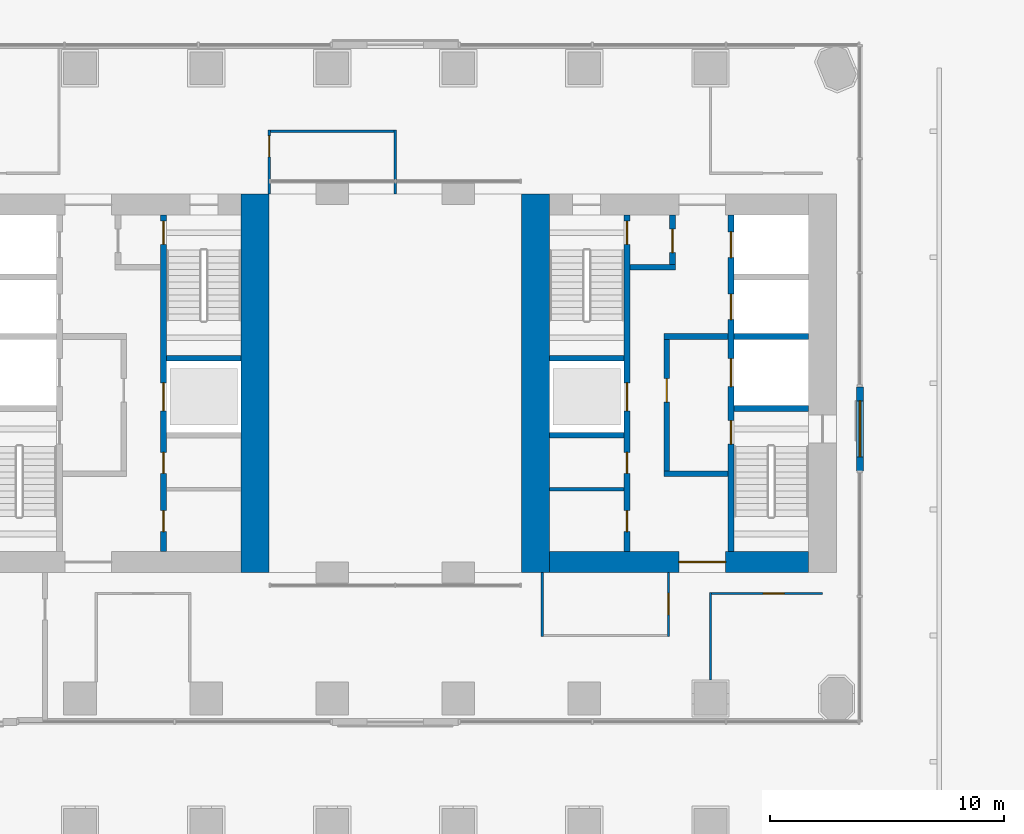
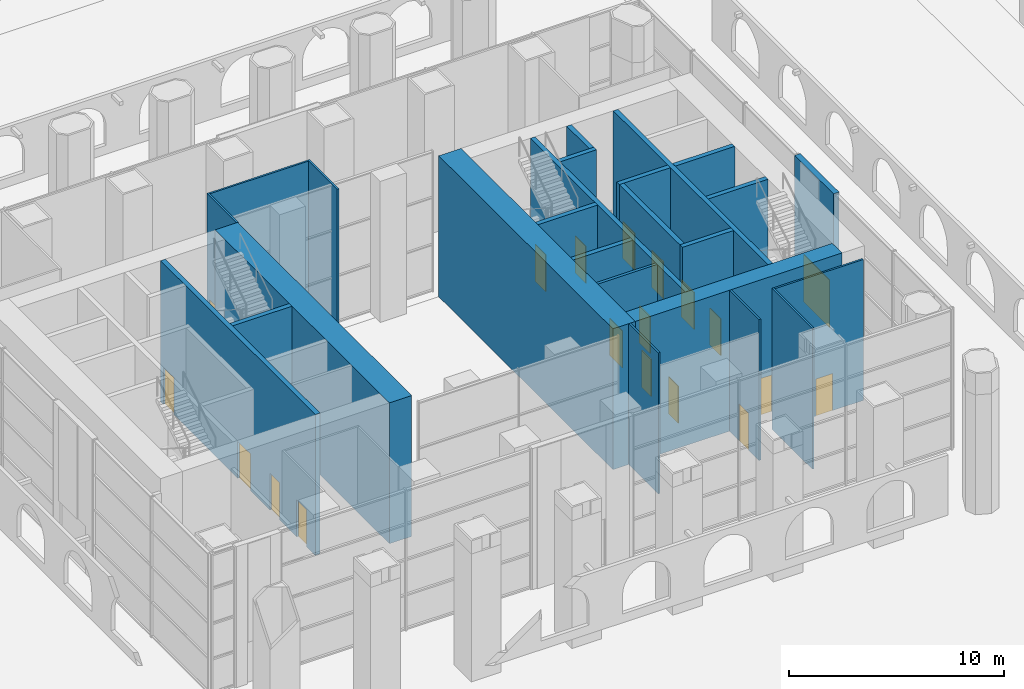
# One storey, part 31 of 54: 25 walls, 19 doors, 19 openings.
"""IFC4 building model written with IfcOpenShell, lengths in metres."""

from ifc_helpers import new_model, si_unit, direction, frame, frame_2d, origin, place, context, subcontext, project, spatial, rectangle, extrude, material, layer, layer_set, type_object, element, fill, save


model = new_model("IFC4")

# Units and contexts
model_context = context("Model", 3, precision=1e-05, world=origin(), true_north=direction((0.0, 1.0)))
body_context = subcontext(model_context, "Body", "Model", "MODEL_VIEW")
ifc_project = project(units=[si_unit("LENGTHUNIT", "METRE"), si_unit("AREAUNIT", "SQUARE_METRE"), si_unit("VOLUMEUNIT", "CUBIC_METRE"), si_unit("PLANEANGLEUNIT", "RADIAN"), si_unit("MASSUNIT", "GRAM", prefix="KILO")], contexts=[model_context])

# Site, building, storey
site_placement = place(None, origin())
site = spatial("IfcSite", under=ifc_project, at=site_placement, CompositionType="ELEMENT")
building_placement = place(site_placement, origin())
building = spatial("IfcBuilding", under=site, at=building_placement, Name="Tabaq Tower and Sports Hall", CompositionType="ELEMENT")
storey_placement = place(building_placement, origin())
storey = spatial("IfcBuildingStorey", under=building, at=storey_placement, Name="L00", CompositionType="ELEMENT", Elevation=0.0)

# Walls
ifc_material_1 = material(Name="Blockwork", Category="masonry")
ifc_layer_1 = layer(ifc_material_1, 0.14990234375)
ifc_layer_set_1 = layer_set([ifc_layer_1], Name="Core room partition 150 Blockwork")
wall_type_1 = type_object("IfcWallType", Name="Core room partition 150 Blockwork", PredefinedType="PARTITIONING", material=ifc_layer_set_1)
wall_1_placement = place(storey_placement, frame((30.89990234375, 19.76708984375, 0.0), z_axis=(0.0, 0.0, 1.0), x_axis=(1.0, 0.0, 0.0)))
element("IfcWall", 1, at=wall_1_placement, inside=storey, type_object=wall_type_1, Name="Core room partition E L00", PredefinedType="PARTITIONING", context=body_context, shape_type="SweptSolid", body=[
    extrude(rectangle(XDim=3.2001953125, YDim=0.14990234375, at=frame_2d((1.60009765625, 0.0))), origin(), (0.0, 0.0, 1.0), 8.0),
])
ifc_material_2 = material(Name="Concrete C60/75", Category="concrete")
ifc_layer_2 = layer(ifc_material_2, 1.199951171875)
ifc_layer_set_2 = layer_set([ifc_layer_2], Name="Core wall 1200 Concrete C60/75")
wall_type_2 = type_object("IfcWallType", Name="Core wall 1200 Concrete C60/75", PredefinedType="SOLIDWALL", material=ifc_layer_set_2)
for number, where, z_axis, x_axis, name in (
    (2, (18.300048828125, 32.39990234375, 0.0), (0.0, 0.0, 1.0), (0.0, -1.0, 0.0), "Core wall W L00"),
    (3, (30.300048828125, 16.199951171875, 0.0), (0.0, 0.0, 1.0), (0.0, 1.0, 0.0), "Core wall E L00"),
):
    element("IfcWall", number, at=place(storey_placement, frame(where, z_axis=z_axis, x_axis=x_axis)), inside=storey, type_object=wall_type_2, Name=name, PredefinedType="SOLIDWALL", context=body_context, shape_type="SweptSolid", body=[
        extrude(rectangle(XDim=16.199951171875, YDim=1.199951171875, at=frame_2d((8.10009765625, 0.0))), origin(), (0.0, 0.0, 1.0), 8.0),
    ])

# Wall, opening, door
ifc_material_3 = material(Name="Concrete C60/75", Category="concrete")
ifc_layer_3 = layer(ifc_material_3, 0.89990234375)
ifc_layer_set_3 = layer_set([ifc_layer_3], Name="Core wall 900 Concrete C60/75")
wall_type_3 = type_object("IfcWallType", Name="Core wall 900 Concrete C60/75", PredefinedType="SOLIDWALL", material=ifc_layer_set_3)
wall_2_placement = place(storey_placement, frame((42.0, 16.64990234375, 0.0), z_axis=(0.0, 0.0, 1.0), x_axis=(-1.0, 0.0, 0.0)))
wall_2 = element("IfcWall", 4, at=wall_2_placement, inside=storey, type_object=wall_type_3, Name="Core wall E L00", PredefinedType="SOLIDWALL", context=body_context, shape_type="SweptSolid", body=[
    extrude(rectangle(XDim=11.10009765625, YDim=0.89990234375, at=frame_2d((5.550048828125, 0.0))), origin(), (0.0, 0.0, 1.0), 8.0),
])
opening_1_placement = place(wall_2_placement, frame((3.550048828125, 0.0, 0.0)))
opening_1 = element("IfcOpeningElement", 5, at=opening_1_placement, cuts=wall_2, Name="Opening PD-EL00-01", PredefinedType="OPENING", context=body_context, shape_type="SweptSolid", body=[
    extrude(rectangle(XDim=2.0, YDim=2.39990234375, at=frame_2d((1.0, 1.199951171875))), frame((0.0, 0.449951171875, 0.0), z_axis=(0.0, -1.0, 0.0), x_axis=(1.0, 0.0, 0.0)), (0.0, 0.0, 1.0), 0.89990234375),
])
ifc_material_4 = material(Name="Steel fire door", Category="steel")
door_type_1 = type_object("IfcDoorType", Name="Core entrance door 2000", OperationType="DOUBLE_DOOR_SINGLE_SWING", PredefinedType="DOOR", material=ifc_material_4)
door_1_placement = place(opening_1_placement, origin())
door_1 = element("IfcDoor", 6, at=door_1_placement, inside=storey, type_object=door_type_1, Name="Core entrance south E L00", OperationType="DOUBLE_DOOR_SINGLE_SWING", OverallHeight=2.39990234375, OverallWidth=2.0, PredefinedType="DOOR", context=body_context, shape_type="SweptSolid", body=[
    extrude(rectangle(XDim=2.0, YDim=2.39990234375, at=frame_2d((1.0, 1.199951171875))), frame((0.0, 0.02490234375, 0.0), z_axis=(0.0, -1.0, 0.0), x_axis=(1.0, 0.0, 0.0)), (0.0, 0.0, 1.0), 0.050048828125),
])
fill(opening_1, door_1)

ifc_material_5 = material(Name="Gypsum board on steel studs", Category="steel")
ifc_layer_4 = layer(ifc_material_5, 0.10009765625)
ifc_layer_set_4 = layer_set([ifc_layer_4], Name="Partition 100 Gypsum board")
wall_type_4 = type_object("IfcWallType", Name="Partition 100 Gypsum board", PredefinedType="PARTITIONING", material=ifc_layer_set_4)
wall_3_placement = place(storey_placement, frame((18.89990234375, 35.14990234375, 0.0), z_axis=(0.0, 0.0, 1.0), x_axis=(0.0, -1.0, 0.0)))
wall_3 = element("IfcWall", 7, at=wall_3_placement, inside=storey, type_object=wall_type_4, Name="Partition wall L00", PredefinedType="PARTITIONING", context=body_context, shape_type="SweptSolid", body=[
    extrude(rectangle(XDim=2.75, YDim=0.10009765625, at=frame_2d((1.375, 0.0))), origin(), (0.0, 0.0, 1.0), 8.0),
])
opening_2_placement = place(wall_3_placement, frame((0.25, 0.0, 0.0)))
opening_2 = element("IfcOpeningElement", 8, at=opening_2_placement, cuts=wall_3, Name="Opening L00-001", PredefinedType="OPENING", context=body_context, shape_type="SweptSolid", body=[
    extrude(rectangle(XDim=0.89990234375, YDim=2.10009765625, at=frame_2d((0.449951171875, 1.050048828125))), frame((0.0, 0.050048828125, 0.0), z_axis=(0.0, -1.0, 0.0), x_axis=(1.0, 0.0, 0.0)), (0.0, 0.0, 1.0), 0.10009765625),
])
ifc_material_6 = material(Name="Timber leaf in steel frame", Category="steel")
door_type_2 = type_object("IfcDoorType", Name="Internal door 900 left hand", OperationType="SINGLE_SWING_LEFT", PredefinedType="DOOR", material=ifc_material_6)
door_2_placement = place(opening_2_placement, origin())
door_2 = element("IfcDoor", 9, at=door_2_placement, inside=storey, type_object=door_type_2, Name="Internal door L00-001", OperationType="SINGLE_SWING_LEFT", OverallHeight=2.10009765625, OverallWidth=0.89990234375, PredefinedType="DOOR", context=body_context, shape_type="SweptSolid", body=[
    extrude(rectangle(XDim=0.89990234375, YDim=2.10009765625, at=frame_2d((0.449951171875, 1.050048828125))), frame((0.0, 0.02490234375, 0.0), z_axis=(0.0, -1.0, 0.0), x_axis=(1.0, 0.0, 0.0)), (0.0, 0.0, 1.0), 0.050048828125),
])
fill(opening_2, door_2)

# Walls
wall_4_placement = place(storey_placement, frame((24.300048828125, 32.39990234375, 0.0), z_axis=(0.0, 0.0, 1.0), x_axis=(0.0, 1.0, 0.0)))
element("IfcWall", 10, at=wall_4_placement, inside=storey, type_object=wall_type_4, Name="Partition wall L00", PredefinedType="PARTITIONING", context=body_context, shape_type="SweptSolid", body=[
    extrude(rectangle(XDim=2.75, YDim=0.10009765625, at=frame_2d((1.375, 0.0))), origin(), (0.0, 0.0, 1.0), 8.0),
])
wall_5_placement = place(storey_placement, frame((24.25, 35.10009765625, 0.0), z_axis=(0.0, 0.0, 1.0), x_axis=(-1.0, 0.0, 0.0)))
element("IfcWall", 11, at=wall_5_placement, inside=storey, type_object=wall_type_4, Name="Partition wall L00", PredefinedType="PARTITIONING", context=body_context, shape_type="SweptSolid", body=[
    extrude(rectangle(XDim=5.300048828125, YDim=0.10009765625, at=frame_2d((2.64990234375, 0.0))), origin(), (0.0, 0.0, 1.0), 8.0),
])
wall_6_placement = place(storey_placement, frame((30.60009765625, 13.449951171875, 0.0), z_axis=(0.0, 0.0, 1.0), x_axis=(0.0, 1.0, 0.0)))
element("IfcWall", 12, at=wall_6_placement, inside=storey, type_object=wall_type_4, Name="Partition wall L00", PredefinedType="PARTITIONING", context=body_context, shape_type="SweptSolid", body=[
    extrude(rectangle(XDim=2.75, YDim=0.10009765625, at=frame_2d((1.375, 0.0))), origin(), (0.0, 0.0, 1.0), 8.0),
])
wall_7_placement = place(storey_placement, frame((37.800048828125, 11.6005859375, 0.0), z_axis=(0.0, 0.0, 1.0), x_axis=(0.0, 1.0, 0.0)))
element("IfcWall", 13, at=wall_7_placement, inside=storey, type_object=wall_type_4, Name="Partition wall L00", PredefinedType="PARTITIONING", context=body_context, shape_type="SweptSolid", body=[
    extrude(rectangle(XDim=3.74951171875, YDim=0.10009765625, at=frame_2d((1.874755859375, 0.0))), origin(), (0.0, 0.0, 1.0), 8.0),
])

# Wall, opening, door
wall_8_placement = place(storey_placement, frame((37.85009765625, 15.300048828125, 0.0), z_axis=(0.0, 0.0, 1.0), x_axis=(1.0, 0.0, 0.0)))
wall_8 = element("IfcWall", 14, at=wall_8_placement, inside=storey, type_object=wall_type_4, Name="Partition wall L00", PredefinedType="PARTITIONING", context=body_context, shape_type="SweptSolid", body=[
    extrude(rectangle(XDim=4.75, YDim=0.10009765625, at=frame_2d((2.375, 0.0))), origin(), (0.0, 0.0, 1.0), 8.0),
])
opening_3_placement = place(wall_8_placement, frame((2.199951171875, 0.0, 0.0)))
opening_3 = element("IfcOpeningElement", 15, at=opening_3_placement, cuts=wall_8, Name="Opening L00-006", PredefinedType="OPENING", context=body_context, shape_type="SweptSolid", body=[
    extrude(rectangle(XDim=0.89990234375, YDim=2.10009765625, at=frame_2d((0.449951171875, 1.050048828125))), frame((0.0, 0.050048828125, 0.0), z_axis=(0.0, -1.0, 0.0), x_axis=(1.0, 0.0, 0.0)), (0.0, 0.0, 1.0), 0.10009765625),
])
ifc_material_7 = material(Name="Timber leaf in steel frame", Category="steel")
door_type_3 = type_object("IfcDoorType", Name="Internal door 900 right hand", OperationType="SINGLE_SWING_RIGHT", PredefinedType="DOOR", material=ifc_material_7)
door_3_placement = place(opening_3_placement, origin())
door_3 = element("IfcDoor", 16, at=door_3_placement, inside=storey, type_object=door_type_3, Name="Internal door L00-006", OperationType="SINGLE_SWING_RIGHT", OverallHeight=2.10009765625, OverallWidth=0.89990234375, PredefinedType="DOOR", context=body_context, shape_type="SweptSolid", body=[
    extrude(rectangle(XDim=0.89990234375, YDim=2.10009765625, at=frame_2d((0.449951171875, 1.050048828125))), frame((0.0, 0.02490234375, 0.0), z_axis=(0.0, -1.0, 0.0), x_axis=(1.0, 0.0, 0.0)), (0.0, 0.0, 1.0), 0.050048828125),
])
fill(opening_3, door_3)

wall_9_placement = place(storey_placement, frame((36.0, 16.199951171875, 0.0), z_axis=(0.0, 0.0, 1.0), x_axis=(0.0, -1.0, 0.0)))
wall_9 = element("IfcWall", 17, at=wall_9_placement, inside=storey, type_object=wall_type_4, Name="Partition wall L00", PredefinedType="PARTITIONING", context=body_context, shape_type="SweptSolid", body=[
    extrude(rectangle(XDim=2.75, YDim=0.10009765625, at=frame_2d((1.375, 0.0))), origin(), (0.0, 0.0, 1.0), 8.0),
])
opening_4_placement = place(wall_9_placement, frame((0.89990234375, 0.0, 0.0)))
opening_4 = element("IfcOpeningElement", 18, at=opening_4_placement, cuts=wall_9, Name="Opening L00-007", PredefinedType="OPENING", context=body_context, shape_type="SweptSolid", body=[
    extrude(rectangle(XDim=0.89990234375, YDim=2.10009765625, at=frame_2d((0.449951171875, 1.050048828125))), frame((0.0, 0.050048828125, 0.0), z_axis=(0.0, -1.0, 0.0), x_axis=(1.0, 0.0, 0.0)), (0.0, 0.0, 1.0), 0.10009765625),
])
door_4_placement = place(opening_4_placement, origin())
door_4 = element("IfcDoor", 19, at=door_4_placement, inside=storey, type_object=door_type_2, Name="Internal door L00-007", OperationType="SINGLE_SWING_LEFT", OverallHeight=2.10009765625, OverallWidth=0.89990234375, PredefinedType="DOOR", context=body_context, shape_type="SweptSolid", body=[
    extrude(rectangle(XDim=0.89990234375, YDim=2.10009765625, at=frame_2d((0.449951171875, 1.050048828125))), frame((0.0, 0.02490234375, 0.0), z_axis=(0.0, -1.0, 0.0), x_axis=(1.0, 0.0, 0.0)), (0.0, 0.0, 1.0), 0.050048828125),
])
fill(opening_4, door_4)

# Wall, openings, doors
ifc_material_8 = material(Name="Concrete C40/50", Category="concrete")
ifc_layer_5 = layer(ifc_material_8, 0.25)
ifc_layer_set_5 = layer_set([ifc_layer_5], Name="Shaft and stair wall 250 Concrete C40/50")
wall_type_5 = type_object("IfcWallType", Name="Shaft and stair wall 250 Concrete C40/50", PredefinedType="SOLIDWALL", material=ifc_layer_set_5)
wall_10_placement = place(storey_placement, frame((14.375, 17.10009765625, 0.0), z_axis=(0.0, 0.0, 1.0), x_axis=(0.0, 1.0, 0.0)))
wall_10 = element("IfcWall", 20, at=wall_10_placement, inside=storey, type_object=wall_type_5, Name="Shaft wall W L00", PredefinedType="SOLIDWALL", context=body_context, shape_type="SweptSolid", body=[
    extrude(rectangle(XDim=14.39990234375, YDim=0.25, at=frame_2d((7.199951171875, 0.0))), origin(), (0.0, 0.0, 1.0), 8.0),
])
opening_5_placement = place(wall_10_placement, frame((13.14990234375, 0.0, 0.0)))
opening_5 = element("IfcOpeningElement", 21, at=opening_5_placement, cuts=wall_10, Name="Opening SD-WL00-05", PredefinedType="OPENING", context=body_context, shape_type="SweptSolid", body=[
    extrude(rectangle(XDim=1.0, YDim=2.10009765625, at=frame_2d((0.5, 1.050048828125))), frame((0.0, 0.125, 0.0), z_axis=(0.0, -1.0, 0.0), x_axis=(1.0, 0.0, 0.0)), (0.0, 0.0, 1.0), 0.25),
])
opening_6_placement = place(wall_10_placement, frame((6.02490234375, 0.0, 0.0)))
opening_6 = element("IfcOpeningElement", 22, at=opening_6_placement, cuts=wall_10, Name="Opening LD-SH1-L00", PredefinedType="OPENING", context=body_context, shape_type="SweptSolid", body=[
    extrude(rectangle(XDim=1.199951171875, YDim=2.10009765625, at=frame_2d((0.60009765625, 1.050048828125))), frame((0.0, 0.125, 0.0), z_axis=(0.0, -1.0, 0.0), x_axis=(1.0, 0.0, 0.0)), (0.0, 0.0, 1.0), 0.25),
])
opening_7_placement = place(wall_10_placement, frame((0.845947265625, 0.0, 0.0)))
opening_7 = element("IfcOpeningElement", 23, at=opening_7_placement, cuts=wall_10, Name="Opening RD-WL00-11", PredefinedType="OPENING", context=body_context, shape_type="SweptSolid", body=[
    extrude(rectangle(XDim=0.89990234375, YDim=2.10009765625, at=frame_2d((0.449951171875, 1.050048828125))), frame((0.0, 0.125, 0.0), z_axis=(0.0, -1.0, 0.0), x_axis=(1.0, 0.0, 0.0)), (0.0, 0.0, 1.0), 0.25),
])
opening_8_placement = place(wall_10_placement, frame((3.345947265625, 0.0, 0.0)))
opening_8 = element("IfcOpeningElement", 24, at=opening_8_placement, cuts=wall_10, Name="Opening RD-WL00-12", PredefinedType="OPENING", context=body_context, shape_type="SweptSolid", body=[
    extrude(rectangle(XDim=0.89990234375, YDim=2.10009765625, at=frame_2d((0.449951171875, 1.050048828125))), frame((0.0, 0.125, 0.0), z_axis=(0.0, -1.0, 0.0), x_axis=(1.0, 0.0, 0.0)), (0.0, 0.0, 1.0), 0.25),
])
ifc_material_9 = material(Name="Steel fire door", Category="steel")
door_type_4 = type_object("IfcDoorType", Name="Core room door 900", OperationType="SINGLE_SWING_LEFT", PredefinedType="DOOR", material=ifc_material_9)
door_5_placement = place(opening_7_placement, origin())
door_5 = element("IfcDoor", 25, at=door_5_placement, inside=storey, type_object=door_type_4, Name="Door Accessible WC W L00", OperationType="SINGLE_SWING_LEFT", OverallHeight=2.10009765625, OverallWidth=0.89990234375, PredefinedType="DOOR", context=body_context, shape_type="SweptSolid", body=[
    extrude(rectangle(XDim=0.89990234375, YDim=2.10009765625, at=frame_2d((0.449951171875, 1.050048828125))), frame((0.0, 0.02490234375, 0.0), z_axis=(0.0, -1.0, 0.0), x_axis=(1.0, 0.0, 0.0)), (0.0, 0.0, 1.0), 0.050048828125),
])
fill(opening_7, door_5)
door_6_placement = place(opening_8_placement, origin())
door_6 = element("IfcDoor", 26, at=door_6_placement, inside=storey, type_object=door_type_4, Name="Door Cleaner's Store W L00", OperationType="SINGLE_SWING_LEFT", OverallHeight=2.10009765625, OverallWidth=0.89990234375, PredefinedType="DOOR", context=body_context, shape_type="SweptSolid", body=[
    extrude(rectangle(XDim=0.89990234375, YDim=2.10009765625, at=frame_2d((0.449951171875, 1.050048828125))), frame((0.0, 0.02490234375, 0.0), z_axis=(0.0, -1.0, 0.0), x_axis=(1.0, 0.0, 0.0)), (0.0, 0.0, 1.0), 0.050048828125),
])
fill(opening_8, door_6)
ifc_material_10 = material(Name="Stainless steel", Category="steel")
door_type_5 = type_object("IfcDoorType", Name="Lift landing door 1200", OperationType="DOUBLE_DOOR_SLIDING", PredefinedType="DOOR", material=ifc_material_10)
door_7_placement = place(opening_6_placement, origin())
door_7 = element("IfcDoor", 27, at=door_7_placement, inside=storey, type_object=door_type_5, Name="Lift landing door SH1 W L00", OperationType="DOUBLE_DOOR_SLIDING", OverallHeight=2.10009765625, OverallWidth=1.199951171875, PredefinedType="DOOR", context=body_context, shape_type="SweptSolid", body=[
    extrude(rectangle(XDim=1.199951171875, YDim=2.10009765625, at=frame_2d((0.60009765625, 1.050048828125))), frame((0.0, 0.02490234375, 0.0), z_axis=(0.0, -1.0, 0.0), x_axis=(1.0, 0.0, 0.0)), (0.0, 0.0, 1.0), 0.050048828125),
])
fill(opening_6, door_7)
ifc_material_11 = material(Name="Steel fire door", Category="steel")
door_type_6 = type_object("IfcDoorType", Name="Stair door 1000", OperationType="SINGLE_SWING_LEFT", PredefinedType="DOOR", material=ifc_material_11)
door_8_placement = place(opening_5_placement, origin())
door_8 = element("IfcDoor", 28, at=door_8_placement, inside=storey, type_object=door_type_6, Name="Stair door ST2 W L00", OperationType="SINGLE_SWING_LEFT", OverallHeight=2.10009765625, OverallWidth=1.0, PredefinedType="DOOR", context=body_context, shape_type="SweptSolid", body=[
    extrude(rectangle(XDim=1.0, YDim=2.10009765625, at=frame_2d((0.5, 1.050048828125))), frame((0.0, 0.02490234375, 0.0), z_axis=(0.0, -1.0, 0.0), x_axis=(1.0, 0.0, 0.0)), (0.0, 0.0, 1.0), 0.050048828125),
])
fill(opening_5, door_8)

# Wall
wall_11_placement = place(storey_placement, frame((14.5, 25.375, 0.0), z_axis=(0.0, 0.0, 1.0), x_axis=(1.0, 0.0, 0.0)))
element("IfcWall", 29, at=wall_11_placement, inside=storey, type_object=wall_type_5, Name="Stair enclosure wall W L00", PredefinedType="SOLIDWALL", context=body_context, shape_type="SweptSolid", body=[
    extrude(rectangle(XDim=3.199951171875, YDim=0.25, at=frame_2d((1.60009765625, 0.0))), origin(), (0.0, 0.0, 1.0), 8.0),
])

# Wall, openings, doors
wall_12_placement = place(storey_placement, frame((38.675048828125, 17.10009765625, 0.0), z_axis=(0.0, 0.0, 1.0), x_axis=(0.0, 1.0, 0.0)))
wall_12 = element("IfcWall", 30, at=wall_12_placement, inside=storey, type_object=wall_type_5, Name="Shaft wall E L00", PredefinedType="SOLIDWALL", context=body_context, shape_type="SweptSolid", body=[
    extrude(rectangle(XDim=14.39990234375, YDim=0.25, at=frame_2d((7.199951171875, 0.0))), origin(), (0.0, 0.0, 1.0), 8.0),
])
opening_9_placement = place(wall_12_placement, frame((4.60009765625, 0.0, 0.0)))
opening_9 = element("IfcOpeningElement", 31, at=opening_9_placement, cuts=wall_12, Name="Opening SD-EL00-03", PredefinedType="OPENING", context=body_context, shape_type="SweptSolid", body=[
    extrude(rectangle(XDim=1.0, YDim=2.10009765625, at=frame_2d((0.5, 1.050048828125))), frame((0.0, 0.125, 0.0), z_axis=(0.0, -1.0, 0.0), x_axis=(1.0, 0.0, 0.0)), (0.0, 0.0, 1.0), 0.25),
])
opening_10_placement = place(wall_12_placement, frame((7.0625, 0.0, 0.0)))
opening_10 = element("IfcOpeningElement", 32, at=opening_10_placement, cuts=wall_12, Name="Opening LD-FF2-L00", PredefinedType="OPENING", context=body_context, shape_type="SweptSolid", body=[
    extrude(rectangle(XDim=1.199951171875, YDim=2.10009765625, at=frame_2d((0.60009765625, 1.050048828125))), frame((0.0, 0.125, 0.0), z_axis=(0.0, -1.0, 0.0), x_axis=(1.0, 0.0, 0.0)), (0.0, 0.0, 1.0), 0.25),
])
opening_11_placement = place(wall_12_placement, frame((9.925048828125, 0.0, 0.0)))
opening_11 = element("IfcOpeningElement", 33, at=opening_11_placement, cuts=wall_12, Name="Opening LD-LR3-L00", PredefinedType="OPENING", context=body_context, shape_type="SweptSolid", body=[
    extrude(rectangle(XDim=1.10009765625, YDim=2.10009765625, at=frame_2d((0.550048828125, 1.050048828125))), frame((0.0, 0.125, 0.0), z_axis=(0.0, -1.0, 0.0), x_axis=(1.0, 0.0, 0.0)), (0.0, 0.0, 1.0), 0.25),
])
opening_12_placement = place(wall_12_placement, frame((12.58740234375, 0.0, 0.0)))
opening_12 = element("IfcOpeningElement", 34, at=opening_12_placement, cuts=wall_12, Name="Opening LD-LR4-L00", PredefinedType="OPENING", context=body_context, shape_type="SweptSolid", body=[
    extrude(rectangle(XDim=1.10009765625, YDim=2.10009765625, at=frame_2d((0.550048828125, 1.050048828125))), frame((0.0, 0.125, 0.0), z_axis=(0.0, -1.0, 0.0), x_axis=(1.0, 0.0, 0.0)), (0.0, 0.0, 1.0), 0.25),
])
ifc_material_12 = material(Name="Stainless steel", Category="steel")
door_type_7 = type_object("IfcDoorType", Name="Lift landing door 1100", OperationType="DOUBLE_DOOR_SLIDING", PredefinedType="DOOR", material=ifc_material_12)
door_9_placement = place(opening_11_placement, origin())
door_9 = element("IfcDoor", 35, at=door_9_placement, inside=storey, type_object=door_type_7, Name="Lift landing door LR3 E L00", OperationType="DOUBLE_DOOR_SLIDING", OverallHeight=2.10009765625, OverallWidth=1.10009765625, PredefinedType="DOOR", context=body_context, shape_type="SweptSolid", body=[
    extrude(rectangle(XDim=1.10009765625, YDim=2.10009765625, at=frame_2d((0.550048828125, 1.050048828125))), frame((0.0, 0.02490234375, 0.0), z_axis=(0.0, -1.0, 0.0), x_axis=(1.0, 0.0, 0.0)), (0.0, 0.0, 1.0), 0.050048828125),
])
fill(opening_11, door_9)
door_10_placement = place(opening_12_placement, origin())
door_10 = element("IfcDoor", 36, at=door_10_placement, inside=storey, type_object=door_type_7, Name="Lift landing door LR4 E L00", OperationType="DOUBLE_DOOR_SLIDING", OverallHeight=2.10009765625, OverallWidth=1.10009765625, PredefinedType="DOOR", context=body_context, shape_type="SweptSolid", body=[
    extrude(rectangle(XDim=1.10009765625, YDim=2.10009765625, at=frame_2d((0.550048828125, 1.050048828125))), frame((0.0, 0.02490234375, 0.0), z_axis=(0.0, -1.0, 0.0), x_axis=(1.0, 0.0, 0.0)), (0.0, 0.0, 1.0), 0.050048828125),
])
fill(opening_12, door_10)
door_11_placement = place(opening_10_placement, origin())
door_11 = element("IfcDoor", 37, at=door_11_placement, inside=storey, type_object=door_type_5, Name="Lift landing door FF2 E L00", OperationType="DOUBLE_DOOR_SLIDING", OverallHeight=2.10009765625, OverallWidth=1.199951171875, PredefinedType="DOOR", context=body_context, shape_type="SweptSolid", body=[
    extrude(rectangle(XDim=1.199951171875, YDim=2.10009765625, at=frame_2d((0.60009765625, 1.050048828125))), frame((0.0, 0.02490234375, 0.0), z_axis=(0.0, -1.0, 0.0), x_axis=(1.0, 0.0, 0.0)), (0.0, 0.0, 1.0), 0.050048828125),
])
fill(opening_10, door_11)
door_12_placement = place(opening_9_placement, origin())
door_12 = element("IfcDoor", 38, at=door_12_placement, inside=storey, type_object=door_type_6, Name="Stair door ST3 E L00", OperationType="SINGLE_SWING_LEFT", OverallHeight=2.10009765625, OverallWidth=1.0, PredefinedType="DOOR", context=body_context, shape_type="SweptSolid", body=[
    extrude(rectangle(XDim=1.0, YDim=2.10009765625, at=frame_2d((0.5, 1.050048828125))), frame((0.0, 0.02490234375, 0.0), z_axis=(0.0, -1.0, 0.0), x_axis=(1.0, 0.0, 0.0)), (0.0, 0.0, 1.0), 0.050048828125),
])
fill(opening_9, door_12)

wall_13_placement = place(storey_placement, frame((34.22509765625, 17.10009765625, 0.0), z_axis=(0.0, 0.0, 1.0), x_axis=(0.0, 1.0, 0.0)))
wall_13 = element("IfcWall", 39, at=wall_13_placement, inside=storey, type_object=wall_type_5, Name="Shaft wall E L00", PredefinedType="SOLIDWALL", context=body_context, shape_type="SweptSolid", body=[
    extrude(rectangle(XDim=14.39990234375, YDim=0.25, at=frame_2d((7.199951171875, 0.0))), origin(), (0.0, 0.0, 1.0), 8.0),
])
opening_13_placement = place(wall_13_placement, frame((13.14990234375, 0.0, 0.0)))
opening_13 = element("IfcOpeningElement", 40, at=opening_13_placement, cuts=wall_13, Name="Opening SD-EL00-05", PredefinedType="OPENING", context=body_context, shape_type="SweptSolid", body=[
    extrude(rectangle(XDim=1.0, YDim=2.10009765625, at=frame_2d((0.5, 1.050048828125))), frame((0.0, 0.125, 0.0), z_axis=(0.0, -1.0, 0.0), x_axis=(1.0, 0.0, 0.0)), (0.0, 0.0, 1.0), 0.25),
])
opening_14_placement = place(wall_13_placement, frame((6.02490234375, 0.0, 0.0)))
opening_14 = element("IfcOpeningElement", 41, at=opening_14_placement, cuts=wall_13, Name="Opening LD-SH2-L00", PredefinedType="OPENING", context=body_context, shape_type="SweptSolid", body=[
    extrude(rectangle(XDim=1.199951171875, YDim=2.10009765625, at=frame_2d((0.60009765625, 1.050048828125))), frame((0.0, 0.125, 0.0), z_axis=(0.0, -1.0, 0.0), x_axis=(1.0, 0.0, 0.0)), (0.0, 0.0, 1.0), 0.25),
])
opening_15_placement = place(wall_13_placement, frame((0.845947265625, 0.0, 0.0)))
opening_15 = element("IfcOpeningElement", 42, at=opening_15_placement, cuts=wall_13, Name="Opening RD-EL00-11", PredefinedType="OPENING", context=body_context, shape_type="SweptSolid", body=[
    extrude(rectangle(XDim=0.89990234375, YDim=2.10009765625, at=frame_2d((0.449951171875, 1.050048828125))), frame((0.0, 0.125, 0.0), z_axis=(0.0, -1.0, 0.0), x_axis=(1.0, 0.0, 0.0)), (0.0, 0.0, 1.0), 0.25),
])
opening_16_placement = place(wall_13_placement, frame((3.345947265625, 0.0, 0.0)))
opening_16 = element("IfcOpeningElement", 43, at=opening_16_placement, cuts=wall_13, Name="Opening RD-EL00-12", PredefinedType="OPENING", context=body_context, shape_type="SweptSolid", body=[
    extrude(rectangle(XDim=0.89990234375, YDim=2.10009765625, at=frame_2d((0.449951171875, 1.050048828125))), frame((0.0, 0.125, 0.0), z_axis=(0.0, -1.0, 0.0), x_axis=(1.0, 0.0, 0.0)), (0.0, 0.0, 1.0), 0.25),
])
door_13_placement = place(opening_15_placement, origin())
door_13 = element("IfcDoor", 44, at=door_13_placement, inside=storey, type_object=door_type_4, Name="Door Accessible WC E L00", OperationType="SINGLE_SWING_LEFT", OverallHeight=2.10009765625, OverallWidth=0.89990234375, PredefinedType="DOOR", context=body_context, shape_type="SweptSolid", body=[
    extrude(rectangle(XDim=0.89990234375, YDim=2.10009765625, at=frame_2d((0.449951171875, 1.050048828125))), frame((0.0, 0.02490234375, 0.0), z_axis=(0.0, -1.0, 0.0), x_axis=(1.0, 0.0, 0.0)), (0.0, 0.0, 1.0), 0.050048828125),
])
fill(opening_15, door_13)
door_14_placement = place(opening_16_placement, origin())
door_14 = element("IfcDoor", 45, at=door_14_placement, inside=storey, type_object=door_type_4, Name="Door Cleaner's Store E L00", OperationType="SINGLE_SWING_LEFT", OverallHeight=2.10009765625, OverallWidth=0.89990234375, PredefinedType="DOOR", context=body_context, shape_type="SweptSolid", body=[
    extrude(rectangle(XDim=0.89990234375, YDim=2.10009765625, at=frame_2d((0.449951171875, 1.050048828125))), frame((0.0, 0.02490234375, 0.0), z_axis=(0.0, -1.0, 0.0), x_axis=(1.0, 0.0, 0.0)), (0.0, 0.0, 1.0), 0.050048828125),
])
fill(opening_16, door_14)
door_15_placement = place(opening_14_placement, origin())
door_15 = element("IfcDoor", 46, at=door_15_placement, inside=storey, type_object=door_type_5, Name="Lift landing door SH2 E L00", OperationType="DOUBLE_DOOR_SLIDING", OverallHeight=2.10009765625, OverallWidth=1.199951171875, PredefinedType="DOOR", context=body_context, shape_type="SweptSolid", body=[
    extrude(rectangle(XDim=1.199951171875, YDim=2.10009765625, at=frame_2d((0.60009765625, 1.050048828125))), frame((0.0, 0.02490234375, 0.0), z_axis=(0.0, -1.0, 0.0), x_axis=(1.0, 0.0, 0.0)), (0.0, 0.0, 1.0), 0.050048828125),
])
fill(opening_14, door_15)
door_16_placement = place(opening_13_placement, origin())
door_16 = element("IfcDoor", 47, at=door_16_placement, inside=storey, type_object=door_type_6, Name="Stair door ST4 E L00", OperationType="SINGLE_SWING_LEFT", OverallHeight=2.10009765625, OverallWidth=1.0, PredefinedType="DOOR", context=body_context, shape_type="SweptSolid", body=[
    extrude(rectangle(XDim=1.0, YDim=2.10009765625, at=frame_2d((0.5, 1.050048828125))), frame((0.0, 0.02490234375, 0.0), z_axis=(0.0, -1.0, 0.0), x_axis=(1.0, 0.0, 0.0)), (0.0, 0.0, 1.0), 0.050048828125),
])
fill(opening_13, door_16)

# Walls
wall_14_placement = place(storey_placement, frame((38.800048828125, 23.22509765625, 0.0), z_axis=(0.0, 0.0, 1.0), x_axis=(1.0, 0.0, 0.0)))
element("IfcWall", 48, at=wall_14_placement, inside=storey, type_object=wall_type_5, Name="Stair enclosure wall E L00", PredefinedType="SOLIDWALL", context=body_context, shape_type="SweptSolid", body=[
    extrude(rectangle(XDim=3.199951171875, YDim=0.25, at=frame_2d((1.60009765625, 0.0))), origin(), (0.0, 0.0, 1.0), 8.0),
])
for number, where, z_axis, x_axis, name in (
    (49, (30.89990234375, 25.375, 0.0), (0.0, 0.0, 1.0), (1.0, 0.0, 0.0), "Stair enclosure wall E L00"),
    (50, (30.89990234375, 22.074951171875, 0.0), (0.0, 0.0, 1.0), (1.0, 0.0, 0.0), "Shaft wall E L00"),
):
    element("IfcWall", number, at=place(storey_placement, frame(where, z_axis=z_axis, x_axis=x_axis)), inside=storey, type_object=wall_type_5, Name=name, PredefinedType="SOLIDWALL", context=body_context, shape_type="SweptSolid", body=[
        extrude(rectangle(XDim=3.2001953125, YDim=0.25, at=frame_2d((1.60009765625, 0.0))), origin(), (0.0, 0.0, 1.0), 8.0),
    ])
wall_15_placement = place(storey_placement, frame((38.800048828125, 26.300048828125, 0.0), z_axis=(0.0, 0.0, 1.0), x_axis=(1.0, 0.0, 0.0)))
element("IfcWall", 51, at=wall_15_placement, inside=storey, type_object=wall_type_5, Name="Shaft wall E L00", PredefinedType="SOLIDWALL", context=body_context, shape_type="SweptSolid", body=[
    extrude(rectangle(XDim=3.199951171875, YDim=0.25, at=frame_2d((1.60009765625, 0.0))), origin(), (0.0, 0.0, 1.0), 8.0),
])
for number, where, z_axis, x_axis, name in (
    (52, (35.800048828125, 26.300048828125, 0.0), (0.0, 0.0, 1.0), (1.0, 0.0, 0.0), "Fire-fighting lobby wall E L00"),
    (53, (35.800048828125, 20.425048828125, 0.0), (0.0, 0.0, 1.0), (1.0, 0.0, 0.0), "Fire-fighting lobby wall E L00"),
):
    element("IfcWall", number, at=place(storey_placement, frame(where, z_axis=z_axis, x_axis=x_axis)), inside=storey, type_object=wall_type_5, Name=name, PredefinedType="SOLIDWALL", context=body_context, shape_type="SweptSolid", body=[
        extrude(rectangle(XDim=2.75, YDim=0.25, at=frame_2d((1.375, 0.0))), origin(), (0.0, 0.0, 1.0), 8.0),
    ])

# Wall, opening, door
wall_16_placement = place(storey_placement, frame((36.175048828125, 29.39990234375, 0.0), z_axis=(0.0, 0.0, 1.0), x_axis=(0.0, 1.0, 0.0)))
wall_16 = element("IfcWall", 54, at=wall_16_placement, inside=storey, type_object=wall_type_5, Name="Fire-fighting lobby wall E L00", PredefinedType="SOLIDWALL", context=body_context, shape_type="SweptSolid", body=[
    extrude(rectangle(XDim=2.10009765625, YDim=0.25, at=frame_2d((1.050048828125, 0.0))), origin(), (0.0, 0.0, 1.0), 8.0),
])
opening_17_placement = place(wall_16_placement, frame((0.5, 0.0, 0.0)))
opening_17 = element("IfcOpeningElement", 55, at=opening_17_placement, cuts=wall_16, Name="Opening FD-EL00-06", PredefinedType="OPENING", context=body_context, shape_type="SweptSolid", body=[
    extrude(rectangle(XDim=1.0, YDim=2.10009765625, at=frame_2d((0.5, 1.050048828125))), frame((0.0, 0.125, 0.0), z_axis=(0.0, -1.0, 0.0), x_axis=(1.0, 0.0, 0.0)), (0.0, 0.0, 1.0), 0.25),
])
ifc_material_13 = material(Name="Steel fire door", Category="steel")
door_type_8 = type_object("IfcDoorType", Name="Fire-fighting lobby door 1000", OperationType="SINGLE_SWING_LEFT", PredefinedType="DOOR", material=ifc_material_13)
door_17_placement = place(opening_17_placement, origin())
door_17 = element("IfcDoor", 56, at=door_17_placement, inside=storey, type_object=door_type_8, Name="Stair lobby door E L00", OperationType="SINGLE_SWING_LEFT", OverallHeight=2.10009765625, OverallWidth=1.0, PredefinedType="DOOR", context=body_context, shape_type="SweptSolid", body=[
    extrude(rectangle(XDim=1.0, YDim=2.10009765625, at=frame_2d((0.5, 1.050048828125))), frame((0.0, 0.02490234375, 0.0), z_axis=(0.0, -1.0, 0.0), x_axis=(1.0, 0.0, 0.0)), (0.0, 0.0, 1.0), 0.050048828125),
])
fill(opening_17, door_17)

# Wall
wall_17_placement = place(storey_placement, frame((34.35009765625, 29.27490234375, 0.0), z_axis=(0.0, 0.0, 1.0), x_axis=(1.0, 0.0, 0.0)))
element("IfcWall", 57, at=wall_17_placement, inside=storey, type_object=wall_type_5, Name="Fire-fighting lobby wall E L00", PredefinedType="SOLIDWALL", context=body_context, shape_type="SweptSolid", body=[
    extrude(rectangle(XDim=1.949951171875, YDim=0.25, at=frame_2d((0.97509765625, 0.0))), origin(), (0.0, 0.0, 1.0), 8.0),
])

# Wall, opening, door
wall_18_placement = place(storey_placement, frame((35.925048828125, 20.550048828125, 0.0), z_axis=(0.0, 0.0, 1.0), x_axis=(0.0, 1.0, 0.0)))
wall_18 = element("IfcWall", 58, at=wall_18_placement, inside=storey, type_object=wall_type_5, Name="Fire-fighting lobby wall E L00", PredefinedType="SOLIDWALL", context=body_context, shape_type="SweptSolid", body=[
    extrude(rectangle(XDim=5.625, YDim=0.25, at=frame_2d((2.8125, 0.0))), origin(), (0.0, 0.0, 1.0), 8.0),
])
opening_18_placement = place(wall_18_placement, frame((2.949951171875, 0.0, 0.0)))
opening_18 = element("IfcOpeningElement", 59, at=opening_18_placement, cuts=wall_18, Name="Opening FD-EL00-04", PredefinedType="OPENING", context=body_context, shape_type="SweptSolid", body=[
    extrude(rectangle(XDim=1.0, YDim=2.10009765625, at=frame_2d((0.5, 1.050048828125))), frame((0.0, 0.125, 0.0), z_axis=(0.0, -1.0, 0.0), x_axis=(1.0, 0.0, 0.0)), (0.0, 0.0, 1.0), 0.25),
])
door_18_placement = place(opening_18_placement, origin())
door_18 = element("IfcDoor", 60, at=door_18_placement, inside=storey, type_object=door_type_8, Name="Fire-fighting lobby door E L00", OperationType="SINGLE_SWING_LEFT", OverallHeight=2.10009765625, OverallWidth=1.0, PredefinedType="DOOR", context=body_context, shape_type="SweptSolid", body=[
    extrude(rectangle(XDim=1.0, YDim=2.10009765625, at=frame_2d((0.5, 1.050048828125))), frame((0.0, 0.02490234375, 0.0), z_axis=(0.0, -1.0, 0.0), x_axis=(1.0, 0.0, 0.0)), (0.0, 0.0, 1.0), 0.050048828125),
])
fill(opening_18, door_18)

ifc_material_14 = material(Name="White precast concrete C60/75", Category="concrete")
ifc_layer_6 = layer(ifc_material_14, 0.300048828125)
ifc_layer_set_6 = layer_set([ifc_layer_6], Name="White precast concrete C60/75 external wall 300")
wall_type_6 = type_object("IfcWallType", Name="White precast concrete C60/75 external wall 300", PredefinedType="SOLIDWALL", material=ifc_layer_set_6)
wall_19_placement = place(storey_placement, frame((44.199951171875, 24.14990234375, 0.0), z_axis=(0.0, 0.0, 1.0), x_axis=(0.0, -1.0, 0.0)))
wall_19 = element("IfcWall", 61, at=wall_19_placement, inside=storey, type_object=wall_type_6, Name="Entrance wall E", PredefinedType="SOLIDWALL", context=body_context, shape_type="SweptSolid", body=[
    extrude(rectangle(XDim=3.599853515625, YDim=0.300048828125, at=frame_2d((1.7998046875, 0.0))), origin(), (0.0, 0.0, 1.0), 8.0),
])
opening_19_placement = place(wall_19_placement, frame((0.60009765625, 0.0, 0.0)))
opening_19 = element("IfcOpeningElement", 62, at=opening_19_placement, cuts=wall_19, Name="Opening ED05", PredefinedType="OPENING", context=body_context, shape_type="SweptSolid", body=[
    extrude(rectangle(XDim=2.39990234375, YDim=2.699951171875, at=frame_2d((1.199951171875, 1.35009765625))), frame((0.0, 0.16015625, 0.0), z_axis=(0.0, -1.0, 0.0), x_axis=(1.0, 0.0, 0.0)), (0.0, 0.0, 1.0), 0.320068359375),
])
ifc_material_15 = material(Name="Aluminium framed clear glazing", Category="aluminium")
door_type_9 = type_object("IfcDoorType", Name="Entrance door ED1", OperationType="DOUBLE_DOOR_DOUBLE_SWING", PredefinedType="DOOR", material=ifc_material_15)
door_19_placement = place(opening_19_placement, origin())
door_19 = element("IfcDoor", 63, at=door_19_placement, inside=storey, type_object=door_type_9, Name="Exit door ED05", OperationType="DOUBLE_DOOR_DOUBLE_SWING", OverallHeight=2.699951171875, OverallWidth=2.39990234375, PredefinedType="DOOR", context=body_context, shape_type="SweptSolid", body=[
    extrude(rectangle(XDim=2.39990234375, YDim=2.699951171875, at=frame_2d((1.199951171875, 1.35009765625))), frame((0.0, 0.02490234375, 0.0), z_axis=(0.0, -1.0, 0.0), x_axis=(1.0, 0.0, 0.0)), (0.0, 0.0, 1.0), 0.050048828125),
])
fill(opening_19, door_19)

save(model, "model.ifc")
